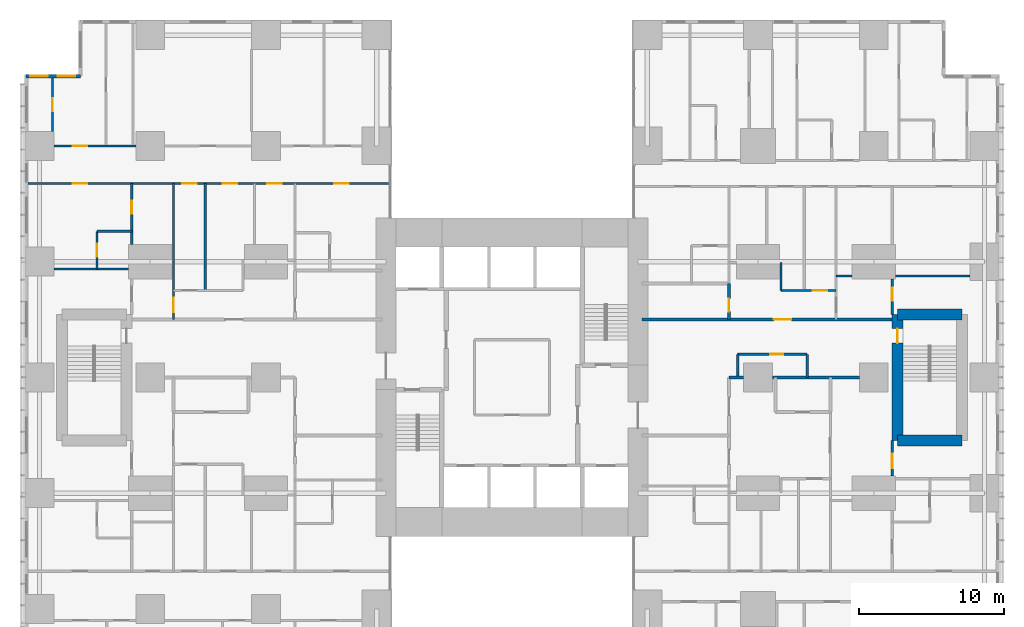
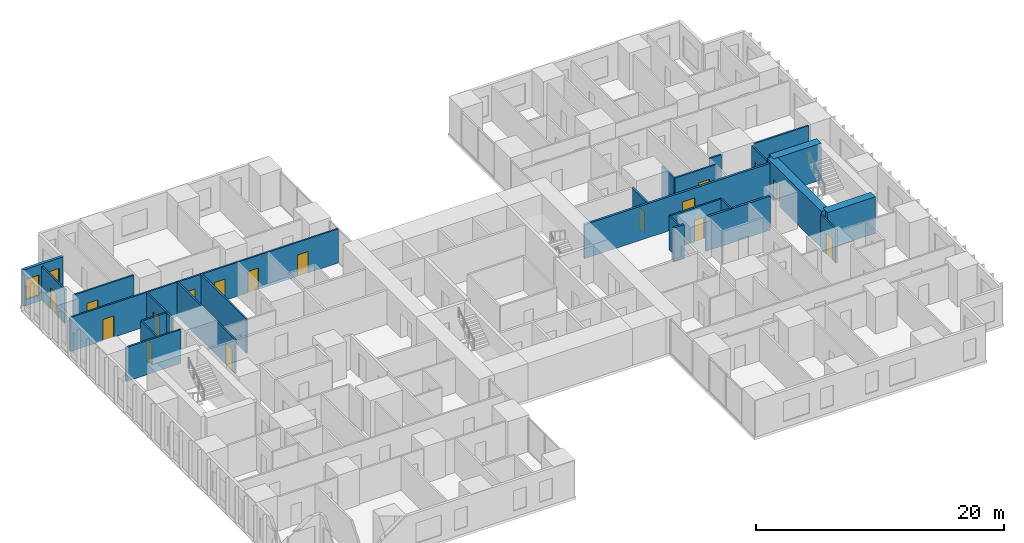
# One storey, part 16 of 20: 26 walls, 17 doors, 2 windows, 19 openings.
"""IFC4 building model written with IfcOpenShell, lengths in metres."""

from ifc_helpers import new_model, si_unit, direction, frame, frame_2d, origin, place, context, subcontext, project, spatial, rectangle, extrude, material, layer, layer_set, type_object, element, fill, save


model = new_model("IFC4")

# Units and contexts
model_context = context("Model", 3, precision=1e-05, world=origin(), true_north=direction((0.0, 1.0)))
body_context = subcontext(model_context, "Body", "Model", "MODEL_VIEW")
ifc_project = project(units=[si_unit("LENGTHUNIT", "METRE"), si_unit("AREAUNIT", "SQUARE_METRE"), si_unit("VOLUMEUNIT", "CUBIC_METRE"), si_unit("PLANEANGLEUNIT", "RADIAN"), si_unit("MASSUNIT", "GRAM", prefix="KILO")], contexts=[model_context])

# Site, building, storey
site_placement = place(None, origin())
site = spatial("IfcSite", under=ifc_project, at=site_placement, CompositionType="ELEMENT")
building_placement = place(site_placement, origin())
building = spatial("IfcBuilding", under=site, at=building_placement, Name="Cleftline Residences", CompositionType="ELEMENT")
storey_placement = place(building_placement, frame((0.0, 0.0, 62.0)))
storey = spatial("IfcBuildingStorey", under=building, at=storey_placement, Name="L15", CompositionType="ELEMENT", Elevation=62.0)

# Wall, openings, windows
ifc_material_1 = material(Name="Rendered reinforced concrete blockwork", Category="masonry")
ifc_layer_1 = layer(ifc_material_1, 0.25)
ifc_layer_set_1 = layer_set([ifc_layer_1], Name="EXTERNAL WALL 250")
wall_type_1 = type_object("IfcWallType", Name="EXTERNAL WALL 250", PredefinedType="SOLIDWALL", material=ifc_layer_set_1)
wall_1_placement = place(storey_placement, frame((3.175048828125, 44.824951171875, 0.0), z_axis=(0.0, 0.0, 1.0), x_axis=(-1.0, 0.0, 0.0)))
wall_1 = element("IfcWall", 1, at=wall_1_placement, inside=storey, type_object=wall_type_1, Name="External wall", PredefinedType="SOLIDWALL", context=body_context, shape_type="SweptSolid", body=[
    extrude(rectangle(XDim=3.75, YDim=0.25, at=frame_2d((1.875, 0.0))), origin(), (0.0, 0.0, 1.0), 3.60009765625),
])
opening_1_placement = place(wall_1_placement, frame((0.362548828125, 0.0, 0.60009765625)))
opening_1 = element("IfcOpeningElement", 2, at=opening_1_placement, cuts=wall_1, Name="Opening W8", PredefinedType="OPENING", context=body_context, shape_type="SweptSolid", body=[
    extrude(rectangle(XDim=1.199951171875, YDim=2.0, at=frame_2d((0.60009765625, 1.0))), frame((0.0, 0.135009765625, 0.0), z_axis=(0.0, -1.0, 0.0), x_axis=(1.0, 0.0, 0.0)), (0.0, 0.0, 1.0), 0.27001953125),
])
opening_2_placement = place(wall_1_placement, frame((2.25, 0.0, 0.60009765625)))
opening_2 = element("IfcOpeningElement", 3, at=opening_2_placement, cuts=wall_1, Name="Opening W8", PredefinedType="OPENING", context=body_context, shape_type="SweptSolid", body=[
    extrude(rectangle(XDim=1.199951171875, YDim=2.0, at=frame_2d((0.60009765625, 1.0))), frame((0.0, 0.135009765625, 0.0), z_axis=(0.0, -1.0, 0.0), x_axis=(1.0, 0.0, 0.0)), (0.0, 0.0, 1.0), 0.27001953125),
])
ifc_material_2 = material(Name="Aluminium frame, clear double glazing", Category="aluminium")
window_type = type_object("IfcWindowType", Name="WINDOW 1200X2000", PartitioningType="DOUBLE_PANEL_VERTICAL", PredefinedType="WINDOW", material=ifc_material_2)
window_1_placement = place(opening_1_placement, origin())
window_1 = element("IfcWindow", 4, at=window_1_placement, inside=storey, type_object=window_type, Name="Window", OverallHeight=2.0, OverallWidth=1.199951171875, PartitioningType="SINGLE_PANEL", PredefinedType="WINDOW", context=body_context, shape_type="SweptSolid", body=[
    extrude(rectangle(XDim=1.199951171875, YDim=2.0, at=frame_2d((0.60009765625, 1.0))), frame((0.0, 0.030029296875, 0.0), z_axis=(0.0, -1.0, 0.0), x_axis=(1.0, 0.0, 0.0)), (0.0, 0.0, 1.0), 0.06005859375),
])
fill(opening_1, window_1)
window_2_placement = place(opening_2_placement, origin())
window_2 = element("IfcWindow", 5, at=window_2_placement, inside=storey, type_object=window_type, Name="Window", OverallHeight=2.0, OverallWidth=1.199951171875, PartitioningType="SINGLE_PANEL", PredefinedType="WINDOW", context=body_context, shape_type="SweptSolid", body=[
    extrude(rectangle(XDim=1.199951171875, YDim=2.0, at=frame_2d((0.60009765625, 1.0))), frame((0.0, 0.030029296875, 0.0), z_axis=(0.0, -1.0, 0.0), x_axis=(1.0, 0.0, 0.0)), (0.0, 0.0, 1.0), 0.06005859375),
])
fill(opening_2, window_2)

# Walls
ifc_material_3 = material(Name="Concrete blockwork, fire rated", Category="masonry")
ifc_layer_2 = layer(ifc_material_3, 0.199951171875)
ifc_layer_set_2 = layer_set([ifc_layer_2], Name="FIRE WALL 200")
wall_type_2 = type_object("IfcWallType", Name="FIRE WALL 200", PredefinedType="PARTITIONING", material=ifc_layer_set_2)
wall_2_placement = place(storey_placement, frame((48.0, 24.0, 0.0), z_axis=(0.0, 0.0, 1.0), x_axis=(1.0, 0.0, 0.0)))
element("IfcWall", 6, at=wall_2_placement, inside=storey, type_object=wall_type_2, Name="Fire separating wall", PredefinedType="PARTITIONING", context=body_context, shape_type="SweptSolid", body=[
    extrude(rectangle(XDim=1.0, YDim=0.199951171875, at=frame_2d((0.5, 0.0))), origin(), (0.0, 0.0, 1.0), 3.35009765625),
])
wall_3_placement = place(storey_placement, frame((51.0, 24.0, 0.0), z_axis=(0.0, 0.0, 1.0), x_axis=(1.0, 0.0, 0.0)))
element("IfcWall", 7, at=wall_3_placement, inside=storey, type_object=wall_type_2, Name="Fire separating wall", PredefinedType="PARTITIONING", context=body_context, shape_type="SweptSolid", body=[
    extrude(rectangle(XDim=6.0, YDim=0.199951171875, at=frame_2d((3.0, 0.0))), origin(), (0.0, 0.0, 1.0), 3.35009765625),
])

# Wall, opening, door
wall_4_placement = place(storey_placement, frame((42.0, 28.0, 0.0), z_axis=(0.0, 0.0, 1.0), x_axis=(1.0, 0.0, 0.0)))
wall_4 = element("IfcWall", 8, at=wall_4_placement, inside=storey, type_object=wall_type_2, Name="Fire separating wall", PredefinedType="PARTITIONING", context=body_context, shape_type="SweptSolid", body=[
    extrude(rectangle(XDim=17.27490234375, YDim=0.199951171875, at=frame_2d((8.637451171875, 0.0))), origin(), (0.0, 0.0, 1.0), 3.35009765625),
])
opening_3_placement = place(wall_4_placement, frame((9.10009765625, 0.0, 0.0)))
opening_3 = element("IfcOpeningElement", 9, at=opening_3_placement, cuts=wall_4, Name="Opening D4", PredefinedType="OPENING", context=body_context, shape_type="SweptSolid", body=[
    extrude(rectangle(XDim=1.199951171875, YDim=2.39990234375, at=frame_2d((0.60009765625, 1.199951171875))), frame((0.0, 0.10986328125, 0.0), z_axis=(0.0, -1.0, 0.0), x_axis=(1.0, 0.0, 0.0)), (0.0, 0.0, 1.0), 0.219970703125),
])
ifc_material_4 = material(Name="Timber veneer on solid core", Category="wood")
door_type_1 = type_object("IfcDoorType", Name="APARTMENT ENTRANCE DOOR 1200X2400", OperationType="SINGLE_SWING_RIGHT", PredefinedType="DOOR", material=ifc_material_4)
door_1_placement = place(opening_3_placement, origin())
door_1 = element("IfcDoor", 10, at=door_1_placement, inside=storey, type_object=door_type_1, Name="Door to residence entrance foyer", OperationType="SINGLE_SWING_LEFT", OverallHeight=2.39990234375, OverallWidth=1.199951171875, PredefinedType="DOOR", context=body_context, shape_type="SweptSolid", body=[
    extrude(rectangle(XDim=1.199951171875, YDim=2.39990234375, at=frame_2d((0.60009765625, 1.199951171875))), frame((0.0, 0.02490234375, 0.0), z_axis=(0.0, -1.0, 0.0), x_axis=(1.0, 0.0, 0.0)), (0.0, 0.0, 1.0), 0.050048828125),
])
fill(opening_3, door_1)

wall_5_placement = place(storey_placement, frame((48.0, 28.0, 0.0), z_axis=(0.0, 0.0, 1.0), x_axis=(0.0, 1.0, 0.0)))
wall_5 = element("IfcWall", 11, at=wall_5_placement, inside=storey, type_object=wall_type_2, Name="Fire separating wall", PredefinedType="PARTITIONING", context=body_context, shape_type="SweptSolid", body=[
    extrude(rectangle(XDim=2.5, YDim=0.199951171875, at=frame_2d((1.25, 0.0))), origin(), (0.0, 0.0, 1.0), 3.35009765625),
])
opening_4_placement = place(wall_5_placement, frame((0.550048828125, 0.0, 0.0)))
opening_4 = element("IfcOpeningElement", 12, at=opening_4_placement, cuts=wall_5, Name="Opening D1F30", PredefinedType="OPENING", context=body_context, shape_type="SweptSolid", body=[
    extrude(rectangle(XDim=0.89990234375, YDim=2.10009765625, at=frame_2d((0.449951171875, 1.050048828125))), frame((0.0, 0.10986328125, 0.0), z_axis=(0.0, -1.0, 0.0), x_axis=(1.0, 0.0, 0.0)), (0.0, 0.0, 1.0), 0.219970703125),
])
ifc_material_5 = material(Name="Timber veneer on solid core", Category="wood")
door_type_2 = type_object("IfcDoorType", Name="DOOR 900X2100 EI 30", OperationType="SINGLE_SWING_LEFT", PredefinedType="DOOR", material=ifc_material_5)
door_2_placement = place(opening_4_placement, origin())
door_2 = element("IfcDoor", 13, at=door_2_placement, inside=storey, type_object=door_type_2, Name="Door to laundry and wc", OperationType="SINGLE_SWING_RIGHT", OverallHeight=2.10009765625, OverallWidth=0.89990234375, PredefinedType="DOOR", context=body_context, shape_type="SweptSolid", body=[
    extrude(rectangle(XDim=0.89990234375, YDim=2.10009765625, at=frame_2d((0.449951171875, 1.050048828125))), frame((0.0, 0.02490234375, 0.0), z_axis=(0.0, -1.0, 0.0), x_axis=(1.0, 0.0, 0.0)), (0.0, 0.0, 1.0), 0.050048828125),
])
fill(opening_4, door_2)

ifc_material_6 = material(Name="Gypsum board on steel studs", Category="steel")
ifc_layer_3 = layer(ifc_material_6, 0.14990234375)
ifc_layer_set_3 = layer_set([ifc_layer_3], Name="PARTITION 150")
wall_type_3 = type_object("IfcWallType", Name="PARTITION 150", PredefinedType="PARTITIONING", material=ifc_layer_set_3)
wall_6_placement = place(storey_placement, frame((48.60009765625, 25.60009765625, 0.0), z_axis=(0.0, 0.0, 1.0), x_axis=(1.0, 0.0, 0.0)))
wall_6 = element("IfcWall", 14, at=wall_6_placement, inside=storey, type_object=wall_type_3, Name="Partition", PredefinedType="PARTITIONING", context=body_context, shape_type="SweptSolid", body=[
    extrude(rectangle(XDim=4.7998046875, YDim=0.14990234375, at=frame_2d((2.39990234375, 0.0))), origin(), (0.0, 0.0, 1.0), 3.35009765625),
])
opening_5_placement = place(wall_6_placement, frame((2.25, 0.0, 0.0)))
opening_5 = element("IfcOpeningElement", 15, at=opening_5_placement, cuts=wall_6, Name="Opening D1", PredefinedType="OPENING", context=body_context, shape_type="SweptSolid", body=[
    extrude(rectangle(XDim=0.89990234375, YDim=2.10009765625, at=frame_2d((0.449951171875, 1.050048828125))), frame((0.0, 0.0849609375, 0.0), z_axis=(0.0, -1.0, 0.0), x_axis=(1.0, 0.0, 0.0)), (0.0, 0.0, 1.0), 0.169921875),
])
ifc_material_7 = material(Name="Timber veneer on solid core", Category="wood")
door_type_3 = type_object("IfcDoorType", Name="DOOR 900X2100", OperationType="SINGLE_SWING_LEFT", PredefinedType="DOOR", material=ifc_material_7)
door_3_placement = place(opening_5_placement, origin())
door_3 = element("IfcDoor", 16, at=door_3_placement, inside=storey, type_object=door_type_3, Name="Door to bulky waste room", OperationType="SINGLE_SWING_LEFT", OverallHeight=2.10009765625, OverallWidth=0.89990234375, PredefinedType="DOOR", context=body_context, shape_type="SweptSolid", body=[
    extrude(rectangle(XDim=0.89990234375, YDim=2.10009765625, at=frame_2d((0.449951171875, 1.050048828125))), frame((0.0, 0.02490234375, 0.0), z_axis=(0.0, -1.0, 0.0), x_axis=(1.0, 0.0, 0.0)), (0.0, 0.0, 1.0), 0.050048828125),
])
fill(opening_5, door_3)

wall_7_placement = place(storey_placement, frame((51.60009765625, 30.0, 0.0), z_axis=(0.0, 0.0, 1.0), x_axis=(1.0, 0.0, 0.0)))
wall_7 = element("IfcWall", 17, at=wall_7_placement, inside=storey, type_object=wall_type_3, Name="Partition", PredefinedType="PARTITIONING", context=body_context, shape_type="SweptSolid", body=[
    extrude(rectangle(XDim=3.7998046875, YDim=0.14990234375, at=frame_2d((1.89990234375, 0.0))), origin(), (0.0, 0.0, 1.0), 3.35009765625),
])
opening_6_placement = place(wall_7_placement, frame((2.199951171875, 0.0, 0.0)))
opening_6 = element("IfcOpeningElement", 18, at=opening_6_placement, cuts=wall_7, Name="Opening D2", PredefinedType="OPENING", context=body_context, shape_type="SweptSolid", body=[
    extrude(rectangle(XDim=1.0, YDim=2.10009765625, at=frame_2d((0.5, 1.050048828125))), frame((0.0, 0.0849609375, 0.0), z_axis=(0.0, -1.0, 0.0), x_axis=(1.0, 0.0, 0.0)), (0.0, 0.0, 1.0), 0.169921875),
])
ifc_material_8 = material(Name="Timber veneer on solid core", Category="wood")
door_type_4 = type_object("IfcDoorType", Name="DOOR 1000X2100", OperationType="SINGLE_SWING_LEFT", PredefinedType="DOOR", material=ifc_material_8)
door_4_placement = place(opening_6_placement, origin())
door_4 = element("IfcDoor", 19, at=door_4_placement, inside=storey, type_object=door_type_4, Name="Door to residence passage", OperationType="SINGLE_SWING_LEFT", OverallHeight=2.10009765625, OverallWidth=1.0, PredefinedType="DOOR", context=body_context, shape_type="SweptSolid", body=[
    extrude(rectangle(XDim=1.0, YDim=2.10009765625, at=frame_2d((0.5, 1.050048828125))), frame((0.0, 0.02490234375, 0.0), z_axis=(0.0, -1.0, 0.0), x_axis=(1.0, 0.0, 0.0)), (0.0, 0.0, 1.0), 0.050048828125),
])
fill(opening_6, door_4)

# Walls
wall_8_placement = place(storey_placement, frame((55.39990234375, 31.0, 0.0), z_axis=(0.0, 0.0, 1.0), x_axis=(1.0, 0.0, 0.0)))
element("IfcWall", 20, at=wall_8_placement, inside=storey, type_object=wall_type_3, Name="Partition", PredefinedType="PARTITIONING", context=body_context, shape_type="SweptSolid", body=[
    extrude(rectangle(XDim=1.10009765625, YDim=0.14990234375, at=frame_2d((0.550048828125, 0.0))), origin(), (0.0, 0.0, 1.0), 3.35009765625),
])
for number, where, z_axis, x_axis, name in (
    (21, (59.5, 31.0, 0.0), (0.0, 0.0, 1.0), (1.0, 0.0, 0.0), "Partition"),
    (22, (1.35009765625, 31.5, 0.0), (0.0, 0.0, 1.0), (1.0, 0.0, 0.0), "Partition"),
):
    element("IfcWall", number, at=place(storey_placement, frame(where, z_axis=z_axis, x_axis=x_axis)), inside=storey, type_object=wall_type_3, Name=name, PredefinedType="PARTITIONING", context=body_context, shape_type="SweptSolid", body=[
        extrude(rectangle(XDim=5.14990234375, YDim=0.14990234375, at=frame_2d((2.574951171875, 0.0))), origin(), (0.0, 0.0, 1.0), 3.35009765625),
    ])
wall_9_placement = place(storey_placement, frame((4.324951171875, 34.10009765625, 0.0), z_axis=(0.0, 0.0, 1.0), x_axis=(1.0, 0.0, 0.0)))
element("IfcWall", 23, at=wall_9_placement, inside=storey, type_object=wall_type_3, Name="Partition", PredefinedType="PARTITIONING", context=body_context, shape_type="SweptSolid", body=[
    extrude(rectangle(XDim=2.400146484375, YDim=0.14990234375, at=frame_2d((1.2001953125, 0.0))), origin(), (0.0, 0.0, 1.0), 3.35009765625),
])

# Wall, openings, doors
wall_10_placement = place(storey_placement, frame((-0.449951171875, 37.39990234375, 0.0), z_axis=(0.0, 0.0, 1.0), x_axis=(1.0, 0.0, 0.0)))
wall_10 = element("IfcWall", 24, at=wall_10_placement, inside=storey, type_object=wall_type_3, Name="Partition", PredefinedType="PARTITIONING", context=body_context, shape_type="SweptSolid", body=[
    extrude(rectangle(XDim=25.010986328125, YDim=0.14990234375, at=frame_2d((12.50537109375, 0.0))), origin(), (0.0, 0.0, 1.0), 3.35009765625),
])
opening_7_placement = place(wall_10_placement, frame((10.64990234375, 0.0, 0.0)))
opening_7 = element("IfcOpeningElement", 25, at=opening_7_placement, cuts=wall_10, Name="Opening D2", PredefinedType="OPENING", context=body_context, shape_type="SweptSolid", body=[
    extrude(rectangle(XDim=1.0, YDim=2.10009765625, at=frame_2d((0.5, 1.050048828125))), frame((0.0, 0.0849609375, 0.0), z_axis=(0.0, -1.0, 0.0), x_axis=(1.0, 0.0, 0.0)), (0.0, 0.0, 1.0), 0.169921875),
])
opening_8_placement = place(wall_10_placement, frame((3.08740234375, 0.0, 0.0)))
opening_8 = element("IfcOpeningElement", 26, at=opening_8_placement, cuts=wall_10, Name="Opening D2", PredefinedType="OPENING", context=body_context, shape_type="SweptSolid", body=[
    extrude(rectangle(XDim=1.0, YDim=2.10009765625, at=frame_2d((0.5, 1.050048828125))), frame((0.0, 0.0849609375, 0.0), z_axis=(0.0, -1.0, 0.0), x_axis=(1.0, 0.0, 0.0)), (0.0, 0.0, 1.0), 0.169921875),
])
opening_9_placement = place(wall_10_placement, frame((13.449951171875, 0.0, 0.0)))
opening_9 = element("IfcOpeningElement", 27, at=opening_9_placement, cuts=wall_10, Name="Opening D2", PredefinedType="OPENING", context=body_context, shape_type="SweptSolid", body=[
    extrude(rectangle(XDim=1.0, YDim=2.10009765625, at=frame_2d((0.5, 1.050048828125))), frame((0.0, 0.0849609375, 0.0), z_axis=(0.0, -1.0, 0.0), x_axis=(1.0, 0.0, 0.0)), (0.0, 0.0, 1.0), 0.169921875),
])
opening_10_placement = place(wall_10_placement, frame((16.550048828125, 0.0, 0.0)))
opening_10 = element("IfcOpeningElement", 28, at=opening_10_placement, cuts=wall_10, Name="Opening D2", PredefinedType="OPENING", context=body_context, shape_type="SweptSolid", body=[
    extrude(rectangle(XDim=1.0, YDim=2.10009765625, at=frame_2d((0.5, 1.050048828125))), frame((0.0, 0.0849609375, 0.0), z_axis=(0.0, -1.0, 0.0), x_axis=(1.0, 0.0, 0.0)), (0.0, 0.0, 1.0), 0.169921875),
])
opening_11_placement = place(wall_10_placement, frame((21.175048828125, 0.0, 0.0)))
opening_11 = element("IfcOpeningElement", 29, at=opening_11_placement, cuts=wall_10, Name="Opening D2", PredefinedType="OPENING", context=body_context, shape_type="SweptSolid", body=[
    extrude(rectangle(XDim=1.0, YDim=2.10009765625, at=frame_2d((0.5, 1.050048828125))), frame((0.0, 0.0849609375, 0.0), z_axis=(0.0, -1.0, 0.0), x_axis=(1.0, 0.0, 0.0)), (0.0, 0.0, 1.0), 0.169921875),
])
door_5_placement = place(opening_7_placement, origin())
door_5 = element("IfcDoor", 30, at=door_5_placement, inside=storey, type_object=door_type_4, Name="Door to residence hall", OperationType="SINGLE_SWING_RIGHT", OverallHeight=2.10009765625, OverallWidth=1.0, PredefinedType="DOOR", context=body_context, shape_type="SweptSolid", body=[
    extrude(rectangle(XDim=1.0, YDim=2.10009765625, at=frame_2d((0.5, 1.050048828125))), frame((0.0, 0.02490234375, 0.0), z_axis=(0.0, -1.0, 0.0), x_axis=(1.0, 0.0, 0.0)), (0.0, 0.0, 1.0), 0.050048828125),
])
fill(opening_7, door_5)
door_6_placement = place(opening_8_placement, origin())
door_6 = element("IfcDoor", 31, at=door_6_placement, inside=storey, type_object=door_type_4, Name="Door to master bedroom", OperationType="SINGLE_SWING_RIGHT", OverallHeight=2.10009765625, OverallWidth=1.0, PredefinedType="DOOR", context=body_context, shape_type="SweptSolid", body=[
    extrude(rectangle(XDim=1.0, YDim=2.10009765625, at=frame_2d((0.5, 1.050048828125))), frame((0.0, 0.02490234375, 0.0), z_axis=(0.0, -1.0, 0.0), x_axis=(1.0, 0.0, 0.0)), (0.0, 0.0, 1.0), 0.050048828125),
])
fill(opening_8, door_6)
door_7_placement = place(opening_9_placement, origin())
door_7 = element("IfcDoor", 32, at=door_7_placement, inside=storey, type_object=door_type_4, Name="Door to family room", OperationType="SINGLE_SWING_LEFT", OverallHeight=2.10009765625, OverallWidth=1.0, PredefinedType="DOOR", context=body_context, shape_type="SweptSolid", body=[
    extrude(rectangle(XDim=1.0, YDim=2.10009765625, at=frame_2d((0.5, 1.050048828125))), frame((0.0, 0.02490234375, 0.0), z_axis=(0.0, -1.0, 0.0), x_axis=(1.0, 0.0, 0.0)), (0.0, 0.0, 1.0), 0.050048828125),
])
fill(opening_9, door_7)
door_8_placement = place(opening_10_placement, origin())
door_8 = element("IfcDoor", 33, at=door_8_placement, inside=storey, type_object=door_type_4, Name="Door to wet kitchen", OperationType="SINGLE_SWING_LEFT", OverallHeight=2.10009765625, OverallWidth=1.0, PredefinedType="DOOR", context=body_context, shape_type="SweptSolid", body=[
    extrude(rectangle(XDim=1.0, YDim=2.10009765625, at=frame_2d((0.5, 1.050048828125))), frame((0.0, 0.02490234375, 0.0), z_axis=(0.0, -1.0, 0.0), x_axis=(1.0, 0.0, 0.0)), (0.0, 0.0, 1.0), 0.050048828125),
])
fill(opening_10, door_8)
door_9_placement = place(opening_11_placement, origin())
door_9 = element("IfcDoor", 34, at=door_9_placement, inside=storey, type_object=door_type_4, Name="Door to bedroom 3", OperationType="SINGLE_SWING_LEFT", OverallHeight=2.10009765625, OverallWidth=1.0, PredefinedType="DOOR", context=body_context, shape_type="SweptSolid", body=[
    extrude(rectangle(XDim=1.0, YDim=2.10009765625, at=frame_2d((0.5, 1.050048828125))), frame((0.0, 0.02490234375, 0.0), z_axis=(0.0, -1.0, 0.0), x_axis=(1.0, 0.0, 0.0)), (0.0, 0.0, 1.0), 0.050048828125),
])
fill(opening_11, door_9)

# Wall, opening, door
wall_11_placement = place(storey_placement, frame((1.35009765625, 40.0, 0.0), z_axis=(0.0, 0.0, 1.0), x_axis=(1.0, 0.0, 0.0)))
wall_11 = element("IfcWall", 35, at=wall_11_placement, inside=storey, type_object=wall_type_3, Name="Partition", PredefinedType="PARTITIONING", context=body_context, shape_type="SweptSolid", body=[
    extrude(rectangle(XDim=5.64990234375, YDim=0.14990234375, at=frame_2d((2.824951171875, 0.0))), origin(), (0.0, 0.0, 1.0), 3.35009765625),
])
opening_12_placement = place(wall_11_placement, frame((1.300048828125, 0.0, 0.0)))
opening_12 = element("IfcOpeningElement", 36, at=opening_12_placement, cuts=wall_11, Name="Opening D2", PredefinedType="OPENING", context=body_context, shape_type="SweptSolid", body=[
    extrude(rectangle(XDim=1.0, YDim=2.10009765625, at=frame_2d((0.5, 1.050048828125))), frame((0.0, 0.0849609375, 0.0), z_axis=(0.0, -1.0, 0.0), x_axis=(1.0, 0.0, 0.0)), (0.0, 0.0, 1.0), 0.169921875),
])
door_10_placement = place(opening_12_placement, origin())
door_10 = element("IfcDoor", 37, at=door_10_placement, inside=storey, type_object=door_type_4, Name="Door to bedroom 2", OperationType="SINGLE_SWING_RIGHT", OverallHeight=2.10009765625, OverallWidth=1.0, PredefinedType="DOOR", context=body_context, shape_type="SweptSolid", body=[
    extrude(rectangle(XDim=1.0, YDim=2.10009765625, at=frame_2d((0.5, 1.050048828125))), frame((0.0, 0.02490234375, 0.0), z_axis=(0.0, -1.0, 0.0), x_axis=(1.0, 0.0, 0.0)), (0.0, 0.0, 1.0), 0.050048828125),
])
fill(opening_12, door_10)

wall_12_placement = place(storey_placement, frame((1.25, 41.0, 0.0), z_axis=(0.0, 0.0, 1.0), x_axis=(0.0, 1.0, 0.0)))
wall_12 = element("IfcWall", 38, at=wall_12_placement, inside=storey, type_object=wall_type_3, Name="Partition", PredefinedType="PARTITIONING", context=body_context, shape_type="SweptSolid", body=[
    extrude(rectangle(XDim=3.699951171875, YDim=0.14990234375, at=frame_2d((1.85009765625, 0.0))), origin(), (0.0, 0.0, 1.0), 3.35009765625),
])
opening_13_placement = place(wall_12_placement, frame((1.39990234375, 0.0, 0.0)))
opening_13 = element("IfcOpeningElement", 39, at=opening_13_placement, cuts=wall_12, Name="Opening D1", PredefinedType="OPENING", context=body_context, shape_type="SweptSolid", body=[
    extrude(rectangle(XDim=0.89990234375, YDim=2.10009765625, at=frame_2d((0.449951171875, 1.050048828125))), frame((0.0, 0.0849609375, 0.0), z_axis=(0.0, -1.0, 0.0), x_axis=(1.0, 0.0, 0.0)), (0.0, 0.0, 1.0), 0.169921875),
])
door_11_placement = place(opening_13_placement, origin())
door_11 = element("IfcDoor", 40, at=door_11_placement, inside=storey, type_object=door_type_3, Name="Door to walk-in wardrobe", OperationType="SINGLE_SWING_LEFT", OverallHeight=2.10009765625, OverallWidth=0.89990234375, PredefinedType="DOOR", context=body_context, shape_type="SweptSolid", body=[
    extrude(rectangle(XDim=0.89990234375, YDim=2.10009765625, at=frame_2d((0.449951171875, 1.050048828125))), frame((0.0, 0.02490234375, 0.0), z_axis=(0.0, -1.0, 0.0), x_axis=(1.0, 0.0, 0.0)), (0.0, 0.0, 1.0), 0.050048828125),
])
fill(opening_13, door_11)

wall_13_placement = place(storey_placement, frame((4.324951171875, 31.5, 0.0), z_axis=(0.0, 0.0, 1.0), x_axis=(0.0, 1.0, 0.0)))
wall_13 = element("IfcWall", 41, at=wall_13_placement, inside=storey, type_object=wall_type_3, Name="Partition", PredefinedType="PARTITIONING", context=body_context, shape_type="SweptSolid", body=[
    extrude(rectangle(XDim=2.60009765625, YDim=0.14990234375, at=frame_2d((1.300048828125, 0.0))), origin(), (0.0, 0.0, 1.0), 3.35009765625),
])
opening_14_placement = place(wall_13_placement, frame((0.85009765625, 0.0, 0.0)))
opening_14 = element("IfcOpeningElement", 42, at=opening_14_placement, cuts=wall_13, Name="Opening D1", PredefinedType="OPENING", context=body_context, shape_type="SweptSolid", body=[
    extrude(rectangle(XDim=0.89990234375, YDim=2.10009765625, at=frame_2d((0.449951171875, 1.050048828125))), frame((0.0, 0.0849609375, 0.0), z_axis=(0.0, -1.0, 0.0), x_axis=(1.0, 0.0, 0.0)), (0.0, 0.0, 1.0), 0.169921875),
])
door_12_placement = place(opening_14_placement, origin())
door_12 = element("IfcDoor", 43, at=door_12_placement, inside=storey, type_object=door_type_3, Name="Door to master bathroom", OperationType="SINGLE_SWING_LEFT", OverallHeight=2.10009765625, OverallWidth=0.89990234375, PredefinedType="DOOR", context=body_context, shape_type="SweptSolid", body=[
    extrude(rectangle(XDim=0.89990234375, YDim=2.10009765625, at=frame_2d((0.449951171875, 1.050048828125))), frame((0.0, 0.02490234375, 0.0), z_axis=(0.0, -1.0, 0.0), x_axis=(1.0, 0.0, 0.0)), (0.0, 0.0, 1.0), 0.050048828125),
])
fill(opening_14, door_12)

wall_14_placement = place(storey_placement, frame((6.72509765625, 33.199951171875, 0.0), z_axis=(0.0, 0.0, 1.0), x_axis=(0.0, 1.0, 0.0)))
wall_14 = element("IfcWall", 44, at=wall_14_placement, inside=storey, type_object=wall_type_3, Name="Partition", PredefinedType="PARTITIONING", context=body_context, shape_type="SweptSolid", body=[
    extrude(rectangle(XDim=4.199951171875, YDim=0.14990234375, at=frame_2d((2.10009765625, 0.0))), origin(), (0.0, 0.0, 1.0), 3.35009765625),
])
opening_15_placement = place(wall_14_placement, frame((2.10009765625, 0.0, 0.0)))
opening_15 = element("IfcOpeningElement", 45, at=opening_15_placement, cuts=wall_14, Name="Opening D1", PredefinedType="OPENING", context=body_context, shape_type="SweptSolid", body=[
    extrude(rectangle(XDim=0.89990234375, YDim=2.10009765625, at=frame_2d((0.449951171875, 1.050048828125))), frame((0.0, 0.0849609375, 0.0), z_axis=(0.0, -1.0, 0.0), x_axis=(1.0, 0.0, 0.0)), (0.0, 0.0, 1.0), 0.169921875),
])
door_13_placement = place(opening_15_placement, origin())
door_13 = element("IfcDoor", 46, at=door_13_placement, inside=storey, type_object=door_type_3, Name="Door to master dressing room", OperationType="SINGLE_SWING_LEFT", OverallHeight=2.10009765625, OverallWidth=0.89990234375, PredefinedType="DOOR", context=body_context, shape_type="SweptSolid", body=[
    extrude(rectangle(XDim=0.89990234375, YDim=2.10009765625, at=frame_2d((0.449951171875, 1.050048828125))), frame((0.0, 0.02490234375, 0.0), z_axis=(0.0, -1.0, 0.0), x_axis=(1.0, 0.0, 0.0)), (0.0, 0.0, 1.0), 0.050048828125),
])
fill(opening_15, door_13)

wall_15_placement = place(storey_placement, frame((9.60009765625, 28.0, 0.0), z_axis=(0.0, 0.0, 1.0), x_axis=(0.0, 1.0, 0.0)))
wall_15 = element("IfcWall", 47, at=wall_15_placement, inside=storey, type_object=wall_type_3, Name="Partition", PredefinedType="PARTITIONING", context=body_context, shape_type="SweptSolid", body=[
    extrude(rectangle(XDim=9.39990234375, YDim=0.14990234375, at=frame_2d((4.699951171875, 0.0))), origin(), (0.0, 0.0, 1.0), 3.35009765625),
])
opening_16_placement = place(wall_15_placement, frame((0.5, 0.0, 0.0)))
opening_16 = element("IfcOpeningElement", 48, at=opening_16_placement, cuts=wall_15, Name="Opening D2F30", PredefinedType="OPENING", context=body_context, shape_type="SweptSolid", body=[
    extrude(rectangle(XDim=1.0, YDim=2.10009765625, at=frame_2d((0.5, 1.050048828125))), frame((0.0, 0.0849609375, 0.0), z_axis=(0.0, -1.0, 0.0), x_axis=(1.0, 0.0, 0.0)), (0.0, 0.0, 1.0), 0.169921875),
])
ifc_material_9 = material(Name="Timber veneer on solid core", Category="wood")
door_type_5 = type_object("IfcDoorType", Name="DOOR 1000X2100 EI 30", OperationType="SINGLE_SWING_LEFT", PredefinedType="DOOR", material=ifc_material_9)
door_14_placement = place(opening_16_placement, origin())
door_14 = element("IfcDoor", 49, at=door_14_placement, inside=storey, type_object=door_type_5, Name="Door to residence lobby", OperationType="SINGLE_SWING_RIGHT", OverallHeight=2.10009765625, OverallWidth=1.0, PredefinedType="DOOR", context=body_context, shape_type="SweptSolid", body=[
    extrude(rectangle(XDim=1.0, YDim=2.10009765625, at=frame_2d((0.5, 1.050048828125))), frame((0.0, 0.02490234375, 0.0), z_axis=(0.0, -1.0, 0.0), x_axis=(1.0, 0.0, 0.0)), (0.0, 0.0, 1.0), 0.050048828125),
])
fill(opening_16, door_14)

# Walls
wall_16_placement = place(storey_placement, frame((11.800048828125, 30.0, 0.0), z_axis=(0.0, 0.0, 1.0), x_axis=(0.0, 1.0, 0.0)))
element("IfcWall", 50, at=wall_16_placement, inside=storey, type_object=wall_type_3, Name="Partition", PredefinedType="PARTITIONING", context=body_context, shape_type="SweptSolid", body=[
    extrude(rectangle(XDim=7.39990234375, YDim=0.14990234375, at=frame_2d((3.699951171875, 0.0))), origin(), (0.0, 0.0, 1.0), 3.35009765625),
])
wall_17_placement = place(storey_placement, frame((48.60009765625, 24.0, 0.0), z_axis=(0.0, 0.0, 1.0), x_axis=(0.0, 1.0, 0.0)))
element("IfcWall", 51, at=wall_17_placement, inside=storey, type_object=wall_type_3, Name="Partition", PredefinedType="PARTITIONING", context=body_context, shape_type="SweptSolid", body=[
    extrude(rectangle(XDim=1.60009765625, YDim=0.14990234375, at=frame_2d((0.800048828125, 0.0))), origin(), (0.0, 0.0, 1.0), 3.35009765625),
])
wall_18_placement = place(storey_placement, frame((51.60009765625, 30.0, 0.0), z_axis=(0.0, 0.0, 1.0), x_axis=(0.0, 1.0, 0.0)))
element("IfcWall", 52, at=wall_18_placement, inside=storey, type_object=wall_type_3, Name="Partition", PredefinedType="PARTITIONING", context=body_context, shape_type="SweptSolid", body=[
    extrude(rectangle(XDim=1.949951171875, YDim=0.14990234375, at=frame_2d((0.97509765625, 0.0))), origin(), (0.0, 0.0, 1.0), 3.35009765625),
])
wall_19_placement = place(storey_placement, frame((53.39990234375, 24.0, 0.0), z_axis=(0.0, 0.0, 1.0), x_axis=(0.0, 1.0, 0.0)))
element("IfcWall", 53, at=wall_19_placement, inside=storey, type_object=wall_type_3, Name="Partition", PredefinedType="PARTITIONING", context=body_context, shape_type="SweptSolid", body=[
    extrude(rectangle(XDim=1.60009765625, YDim=0.14990234375, at=frame_2d((0.800048828125, 0.0))), origin(), (0.0, 0.0, 1.0), 3.35009765625),
])

# Wall, opening, door
wall_20_placement = place(storey_placement, frame((59.27490234375, 17.199951171875, 0.0), z_axis=(0.0, 0.0, 1.0), x_axis=(0.0, 1.0, 0.0)))
wall_20 = element("IfcWall", 54, at=wall_20_placement, inside=storey, type_object=wall_type_3, Name="Partition", PredefinedType="PARTITIONING", context=body_context, shape_type="SweptSolid", body=[
    extrude(rectangle(XDim=2.449951171875, YDim=0.14990234375, at=frame_2d((1.22509765625, 0.0))), origin(), (0.0, 0.0, 1.0), 3.35009765625),
])
opening_17_placement = place(wall_20_placement, frame((0.53759765625, 0.0, 0.0)))
opening_17 = element("IfcOpeningElement", 55, at=opening_17_placement, cuts=wall_20, Name="Opening D2", PredefinedType="OPENING", context=body_context, shape_type="SweptSolid", body=[
    extrude(rectangle(XDim=1.0, YDim=2.10009765625, at=frame_2d((0.5, 1.050048828125))), frame((0.0, 0.0849609375, 0.0), z_axis=(0.0, -1.0, 0.0), x_axis=(1.0, 0.0, 0.0)), (0.0, 0.0, 1.0), 0.169921875),
])
door_15_placement = place(opening_17_placement, origin())
door_15 = element("IfcDoor", 56, at=door_15_placement, inside=storey, type_object=door_type_4, Name="Door to altar room", OperationType="SINGLE_SWING_RIGHT", OverallHeight=2.10009765625, OverallWidth=1.0, PredefinedType="DOOR", context=body_context, shape_type="SweptSolid", body=[
    extrude(rectangle(XDim=1.0, YDim=2.10009765625, at=frame_2d((0.5, 1.050048828125))), frame((0.0, 0.02490234375, 0.0), z_axis=(0.0, -1.0, 0.0), x_axis=(1.0, 0.0, 0.0)), (0.0, 0.0, 1.0), 0.050048828125),
])
fill(opening_17, door_15)

wall_21_placement = place(storey_placement, frame((59.27490234375, 28.35009765625, 0.0), z_axis=(0.0, 0.0, 1.0), x_axis=(0.0, 1.0, 0.0)))
wall_21 = element("IfcWall", 57, at=wall_21_placement, inside=storey, type_object=wall_type_3, Name="Partition", PredefinedType="PARTITIONING", context=body_context, shape_type="SweptSolid", body=[
    extrude(rectangle(XDim=2.449951171875, YDim=0.14990234375, at=frame_2d((1.22509765625, 0.0))), origin(), (0.0, 0.0, 1.0), 3.35009765625),
])
opening_18_placement = place(wall_21_placement, frame((0.96240234375, 0.0, 0.0)))
opening_18 = element("IfcOpeningElement", 58, at=opening_18_placement, cuts=wall_21, Name="Opening D1", PredefinedType="OPENING", context=body_context, shape_type="SweptSolid", body=[
    extrude(rectangle(XDim=0.89990234375, YDim=2.10009765625, at=frame_2d((0.449951171875, 1.050048828125))), frame((0.0, 0.0849609375, 0.0), z_axis=(0.0, -1.0, 0.0), x_axis=(1.0, 0.0, 0.0)), (0.0, 0.0, 1.0), 0.169921875),
])
door_16_placement = place(opening_18_placement, origin())
door_16 = element("IfcDoor", 59, at=door_16_placement, inside=storey, type_object=door_type_3, Name="Door to drying loggia", OperationType="SINGLE_SWING_LEFT", OverallHeight=2.10009765625, OverallWidth=0.89990234375, PredefinedType="DOOR", context=body_context, shape_type="SweptSolid", body=[
    extrude(rectangle(XDim=0.89990234375, YDim=2.10009765625, at=frame_2d((0.449951171875, 1.050048828125))), frame((0.0, 0.02490234375, 0.0), z_axis=(0.0, -1.0, 0.0), x_axis=(1.0, 0.0, 0.0)), (0.0, 0.0, 1.0), 0.050048828125),
])
fill(opening_18, door_16)

# Walls
ifc_material_10 = material(Name="Concrete B70", Category="concrete")
ifc_layer_4 = layer(ifc_material_10, 0.75)
ifc_layer_set_4 = layer_set([ifc_layer_4], Name="SHEAR WALL 750")
wall_type_4 = type_object("IfcWallType", Name="SHEAR WALL 750", PredefinedType="SHEAR", material=ifc_layer_set_4)
for number, where, z_axis, x_axis, name in (
    (60, (59.64990234375, 19.64990234375, 0.0), (0.0, 0.0, 1.0), (1.0, 0.0, 0.0), "Wing shear wall"),
    (61, (64.10009765625, 28.35009765625, 0.0), (0.0, 0.0, 1.0), (-1.0, 0.0, 0.0), "Wing shear wall"),
):
    element("IfcWall", number, at=place(storey_placement, frame(where, z_axis=z_axis, x_axis=x_axis)), inside=storey, type_object=wall_type_4, Name=name, PredefinedType="SHEAR", context=body_context, shape_type="SweptSolid", body=[
        extrude(rectangle(XDim=4.4501953125, YDim=0.75, at=frame_2d((2.22509765625, 0.0))), origin(), (0.0, 0.0, 1.0), 3.60009765625),
    ])

# Wall, opening, door
wall_22_placement = place(storey_placement, frame((59.64990234375, 28.35009765625, 0.0), z_axis=(0.0, 0.0, 1.0), x_axis=(0.0, -1.0, 0.0)))
wall_22 = element("IfcWall", 62, at=wall_22_placement, inside=storey, type_object=wall_type_4, Name="Wing shear wall", PredefinedType="SHEAR", context=body_context, shape_type="SweptSolid", body=[
    extrude(rectangle(XDim=8.7001953125, YDim=0.75, at=frame_2d((4.35009765625, 0.0))), origin(), (0.0, 0.0, 1.0), 3.60009765625),
])
opening_19_placement = place(wall_22_placement, frame((0.97509765625, 0.0, 0.0)))
opening_19 = element("IfcOpeningElement", 63, at=opening_19_placement, cuts=wall_22, Name="Opening D5", PredefinedType="OPENING", context=body_context, shape_type="SweptSolid", body=[
    extrude(rectangle(XDim=1.0, YDim=2.10009765625, at=frame_2d((0.5, 1.050048828125))), frame((0.0, 0.385009765625, 0.0), z_axis=(0.0, -1.0, 0.0), x_axis=(1.0, 0.0, 0.0)), (0.0, 0.0, 1.0), 0.77001953125),
])
ifc_material_11 = material(Name="Steel", Category="steel")
door_type_6 = type_object("IfcDoorType", Name="STAIR DOOR 1000X2100", OperationType="SINGLE_SWING_LEFT", PredefinedType="DOOR", material=ifc_material_11)
door_17_placement = place(opening_19_placement, origin())
door_17 = element("IfcDoor", 64, at=door_17_placement, inside=storey, type_object=door_type_6, Name="Stair E door", OperationType="SINGLE_SWING_RIGHT", OverallHeight=2.10009765625, OverallWidth=1.0, PredefinedType="DOOR", context=body_context, shape_type="SweptSolid", body=[
    extrude(rectangle(XDim=1.0, YDim=2.10009765625, at=frame_2d((0.5, 1.050048828125))), frame((0.0, 0.02490234375, 0.0), z_axis=(0.0, -1.0, 0.0), x_axis=(1.0, 0.0, 0.0)), (0.0, 0.0, 1.0), 0.050048828125),
])
fill(opening_19, door_17)

save(model, "model.ifc")
